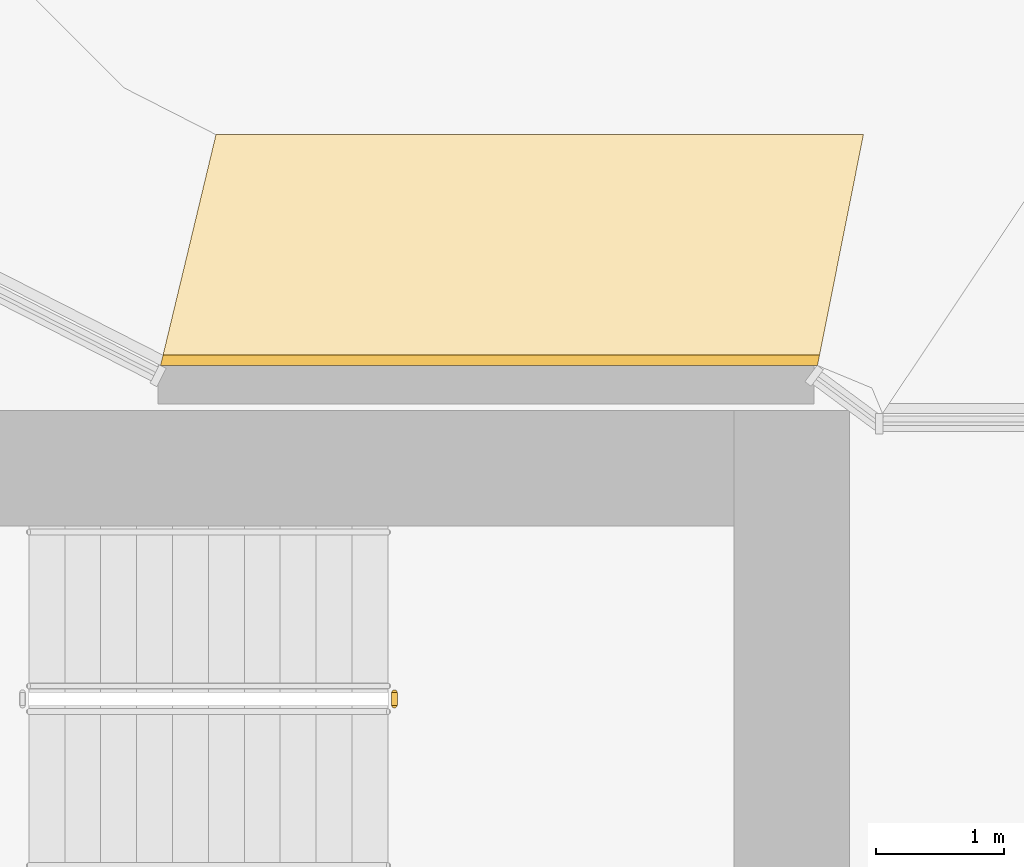
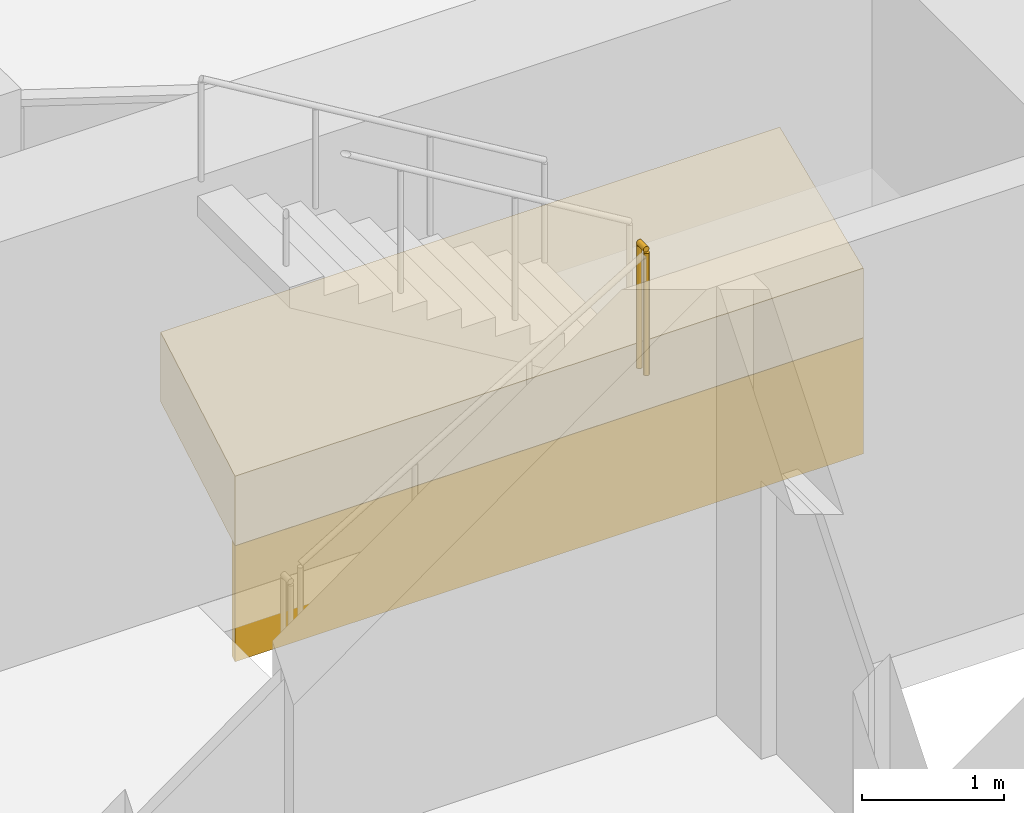
# One storey, part 39 of 51: 2 coverings, 1 railing.
"""IFC4 building model written with IfcOpenShell, lengths in metres."""

from ifc_helpers import new_model, si_unit, direction, frame, origin, origin_2d, place, context, subcontext, project, spatial, polyline, circle, outline, extrude, material, layer, layer_set, type_object, element, save


model = new_model("IFC4")

# Units and contexts
model_context = context("Model", 3, precision=1e-05, world=origin(), true_north=direction((0.0, 1.0)))
body_context = subcontext(model_context, "Body", "Model", "MODEL_VIEW")
ifc_project = project(units=[si_unit("LENGTHUNIT", "METRE"), si_unit("AREAUNIT", "SQUARE_METRE"), si_unit("VOLUMEUNIT", "CUBIC_METRE"), si_unit("PLANEANGLEUNIT", "RADIAN"), si_unit("MASSUNIT", "GRAM", prefix="KILO")], contexts=[model_context])

# Site, building, storey
site_placement = place(None, origin())
site = spatial("IfcSite", under=ifc_project, at=site_placement, CompositionType="ELEMENT")
building_placement = place(site_placement, origin())
building = spatial("IfcBuilding", under=site, at=building_placement, Name="Ogive Portal Towers", CompositionType="ELEMENT")
storey_placement = place(building_placement, frame((0.0, 0.0, 33.5)))
storey = spatial("IfcBuildingStorey", under=building, at=storey_placement, Name="L06", CompositionType="ELEMENT", Elevation=33.5)

# Railing
ifc_material_1 = material(Name="Stainless steel balustrade", Category="steel")
railing_type = type_object("IfcRailingType", Name="INT-GUARD", PredefinedType="GUARDRAIL", material=ifc_material_1)
railing_placement = place(storey_placement, frame((55.39990234375, 37.64990234375, 1.85009765625)))
element("IfcRailing", 1, at=railing_placement, inside=storey, type_object=railing_type, Name="L06 ST-A2 stair guard 2", PredefinedType="GUARDRAIL", context=body_context, shape_type="SweptSolid", body=[
    extrude(circle(Radius=0.02392578125, at=origin_2d()), frame((0.0, 0.0, 1.076171875), z_axis=(0.0, 1.0, 0.0), x_axis=(-1.0, 0.0, 0.0)), (0.0, 0.0, 1.0), 0.10009765625),
    extrude(circle(Radius=0.02099609375, at=origin_2d()), origin(), (0.0, 0.0, 1.0), 1.052001953125),
    extrude(circle(Radius=0.02099609375, at=origin_2d()), frame((0.0, 0.10009765625, 0.0)), (0.0, 0.0, 1.0), 1.052001953125),
])

# Coverings
ifc_material_2 = material(Name="Limestone cladding on lightweight block wall", Category="masonry")
ifc_layer_1 = layer(ifc_material_2, 0.080078125)
ifc_layer_set_1 = layer_set([ifc_layer_1], Name="STONE SPANDREL 80")
covering_type_1 = type_object("IfcCoveringType", Name="STONE SPANDREL 80", PredefinedType="CLADDING", material=ifc_layer_set_1)
covering_1_placement = place(storey_placement, frame((0.0, 0.0, -1.60009765625)))
element("IfcCovering", 2, at=covering_1_placement, inside=storey, type_object=covering_type_1, Name="Stone spandrel A1-F02", PredefinedType="CLADDING", context=body_context, shape_type="SweptSolid", body=[
    extrude(outline(polyline([(58.699951171875, 40.300048828125), (53.57666015625, 40.300048828125), (53.595947265625, 40.3798828125), (58.7158203125, 40.3798828125), (58.699951171875, 40.300048828125)])), origin(), (0.0, 0.0, 1.0), 1.0),
])
ifc_layer_2 = layer(ifc_material_2, 0.60009765625)
ifc_layer_set_2 = layer_set([ifc_layer_2], Name="SUNSHADE LIP 600")
covering_type_2 = type_object("IfcCoveringType", Name="SUNSHADE LIP 600", PredefinedType="CLADDING", material=ifc_layer_set_2)
covering_2_placement = place(storey_placement, frame((0.0, 0.0, -0.60009765625)))
element("IfcCovering", 3, at=covering_2_placement, inside=storey, type_object=covering_type_2, Name="Sunshade lip A1-F02", PredefinedType="CLADDING", context=body_context, shape_type="SweptSolid", body=[
    extrude(outline(polyline([(58.699951171875, 40.300048828125), (53.57666015625, 40.300048828125), (54.0087890625, 42.10009765625), (59.05810546875, 42.10009765625), (58.699951171875, 40.300048828125)])), origin(), (0.0, 0.0, 1.0), 0.60009765625),
])

save(model, "model.ifc")
